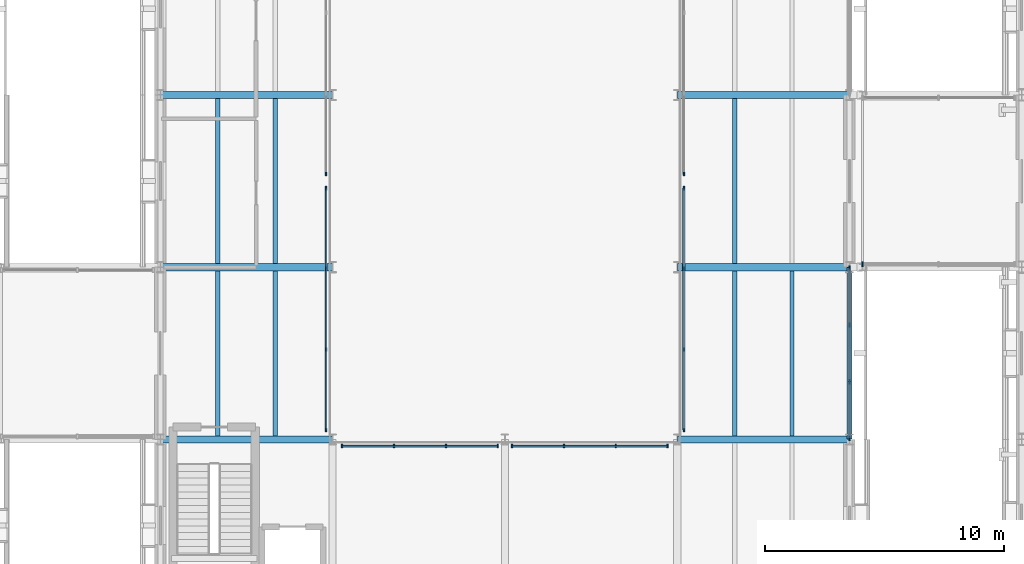
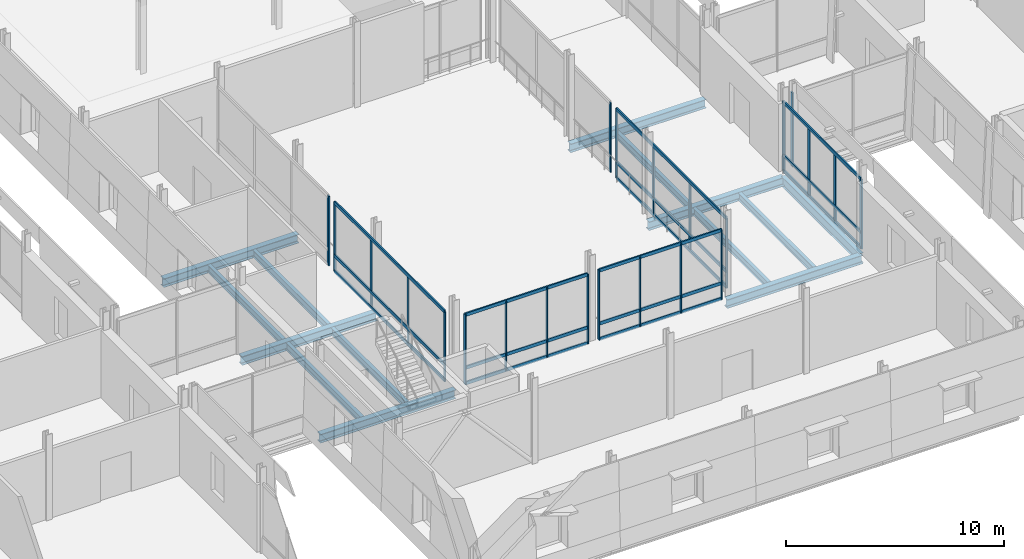
# One storey, part 28 of 121: 38 members, 14 beams, 8 elements without a shape of their own.
"""IFC4 building model written with IfcOpenShell, lengths in metres."""

import ifcopenshell
import ifcopenshell.guid

model = None  # the IFC model being written
_history = None  # IfcOwnerHistory: only IFC2X3 demands one
_inside = {}  # id of a spatial element -> (the spatial element, [elements in it])
_under = {}  # id of a project, library or spatial element -> (it, [spatial elements below it])
_declared = {}  # id of a project -> (the project, [libraries it declares])
_typed = {}  # id of a type object -> (the type object, [elements of that type])
_made_of = {}  # id of a material, layer set ... -> (it, [elements and type objects made of it])


def new_model(schema):
    """Start an empty IFC model of exactly this schema.

    Asked for "IFC4X3", IfcOpenShell would pick the latest addendum, in which some entities
    have other attributes; the version numbers below select the first issue.
    IFC2X3 requires an IfcOwnerHistory on every rooted entity: one is made here for all.
    """
    global model, _history
    if schema == "IFC4X3":
        model = ifcopenshell.file(schema_version=(4, 3, 0, 0))
    else:
        model = ifcopenshell.file(schema=schema)
    _inside.clear()
    _under.clear()
    _declared.clear()
    _typed.clear()
    _made_of.clear()
    _history = None
    if model.schema == "IFC2X3":
        org = make("IfcOrganization", Name="unknown")
        user = make(
            "IfcPersonAndOrganization",
            ThePerson=make("IfcPerson", FamilyName="unknown"),
            TheOrganization=org,
        )
        app = make(
            "IfcApplication",
            ApplicationDeveloper=org,
            Version="unknown",
            ApplicationFullName="unknown",
            ApplicationIdentifier="unknown",
        )
        _history = make(
            "IfcOwnerHistory",
            OwningUser=user,
            OwningApplication=app,
            ChangeAction="ADDED",
            CreationDate=0,
        )
    return model


def make(cls, **values):
    """One entity of the class cls with the attributes given. An attribute that is None is left unset."""
    return model.create_entity(
        cls, **{name: value for name, value in values.items() if value is not None}
    )


def rooted(cls, **values):
    """An entity with a GlobalId (a new one), such as an element, a storey or a relation."""
    return make(cls, GlobalId=ifcopenshell.guid.new(), OwnerHistory=_history, **values)


def si_unit(unit_type, name, prefix=None):
    """IfcSIUnit, for example si_unit("LENGTHUNIT", "METRE", prefix="MILLI")."""
    return make("IfcSIUnit", UnitType=unit_type, Prefix=prefix, Name=name)


def assignment(units):
    """IfcUnitAssignment: the units of a project."""
    return None if units is None else make("IfcUnitAssignment", Units=units)


def point(xyz):
    """IfcCartesianPoint."""
    return None if xyz is None else make("IfcCartesianPoint", Coordinates=xyz)


def direction(xyz):
    """IfcDirection."""
    return None if xyz is None else make("IfcDirection", DirectionRatios=xyz)


def frame(location, z_axis=None, x_axis=None):
    """IfcAxis2Placement3D, a coordinate frame: its origin and axes. An axis left out is left unset."""
    return make(
        "IfcAxis2Placement3D",
        Location=point(location),
        Axis=direction(z_axis),
        RefDirection=direction(x_axis),
    )


def frame_2d(location, x_axis=None):
    """IfcAxis2Placement2D, a coordinate frame in the plane: its origin and x axis."""
    return make(
        "IfcAxis2Placement2D", Location=point(location), RefDirection=direction(x_axis)
    )


def origin():
    """The frame at (0, 0, 0) with its axes left unset."""
    return frame((0.0, 0.0, 0.0))


def origin_2d():
    """The frame at (0, 0) in the plane with its x axis left unset."""
    return frame_2d((0.0, 0.0))


def place(relative_to, where):
    """IfcLocalPlacement: puts the frame where relative to a parent placement (None: the world)."""
    return make(
        "IfcLocalPlacement", PlacementRelTo=relative_to, RelativePlacement=where
    )


def context(
    kind, dimensions, precision=None, world=None, true_north=None, identifier=None
):
    """IfcGeometricRepresentationContext, for example the 3D "Model" context."""
    return make(
        "IfcGeometricRepresentationContext",
        ContextIdentifier=identifier,
        ContextType=kind,
        CoordinateSpaceDimension=dimensions,
        Precision=precision,
        WorldCoordinateSystem=world,
        TrueNorth=true_north,
    )


def subcontext(parent, identifier, kind, view, scale=None):
    """IfcGeometricRepresentationSubContext, for example "Body" below "Model"."""
    return make(
        "IfcGeometricRepresentationSubContext",
        ContextIdentifier=identifier,
        ContextType=kind,
        ParentContext=parent,
        TargetScale=scale,
        TargetView=view,
    )


def project(units=None, contexts=None):
    """IfcProject with its units and contexts."""
    return rooted(
        "IfcProject",
        Name="project",
        RepresentationContexts=contexts,
        UnitsInContext=assignment(units),
    )


def spatial(cls, under=None, at=None, **own):
    """A site, building, storey or space (cls), placed at a placement, below another one or the project."""
    s = rooted(cls, ObjectPlacement=at, **own)
    if under is not None:
        _under.setdefault(under.id(), (under, []))[1].append(s)
    return s


def profile(cls, at=None, kind="AREA", **sizes):
    """A parametric profile (cls). Its sizes go by their IFC names, for example OverallWidth=200.0."""
    return make(cls, ProfileType=kind, Position=at, **sizes)


def rectangle(**sizes):
    """IfcRectangleProfileDef."""
    return profile("IfcRectangleProfileDef", **sizes)


def i_section(**sizes):
    """IfcIShapeProfileDef."""
    return profile("IfcIShapeProfileDef", **sizes)


def extrude(swept, where, along, depth):
    """IfcExtrudedAreaSolid: the profile swept, set in the frame where, extruded along a direction by depth."""
    return make(
        "IfcExtrudedAreaSolid",
        SweptArea=swept,
        Position=where,
        ExtrudedDirection=direction(along),
        Depth=depth,
    )


def shape(context_of_items, identifier, shape_type, items):
    """IfcShapeRepresentation: the items that make up one representation, for example the "Body"."""
    return make(
        "IfcShapeRepresentation",
        ContextOfItems=context_of_items,
        RepresentationIdentifier=identifier,
        RepresentationType=shape_type,
        Items=items,
    )


def material(Name=None, Category=None):
    """IfcMaterial."""
    return make("IfcMaterial", Name=Name, Category=Category)


def layer(
    of_material, thickness, ventilated=None, Name=None, Category=None, Priority=None
):
    """IfcMaterialLayer: one layer of a wall or slab, of a material (None: an air gap)."""
    return make(
        "IfcMaterialLayer",
        Material=of_material,
        LayerThickness=thickness,
        IsVentilated=ventilated,
        Name=Name,
        Category=Category,
        Priority=Priority,
    )


def layer_set(layers, Name=None):
    """IfcMaterialLayerSet."""
    return make("IfcMaterialLayerSet", MaterialLayers=layers, LayerSetName=Name)


def material_profile(
    of_material, cross_section, Name=None, Category=None, Priority=None
):
    """IfcMaterialProfile: a cross section and its material."""
    return make(
        "IfcMaterialProfile",
        Name=Name,
        Material=of_material,
        Profile=cross_section,
        Priority=Priority,
        Category=Category,
    )


def profile_set(profiles, Name=None, composite=None):
    """IfcMaterialProfileSet."""
    return make(
        "IfcMaterialProfileSet",
        Name=Name,
        MaterialProfiles=profiles,
        CompositeProfile=composite,
    )


def made_of(thing, what):
    """Note that an element or type object is made of a material, layer set ...; save() writes the relation."""
    if what is not None:
        _made_of.setdefault(what.id(), (what, []))[1].append(thing)
    return thing


def type_object(cls, material=None, **own):
    """A type object (cls), such as IfcWallType, which elements share."""
    return made_of(rooted(cls, **own), material)


def element(
    cls,
    number,
    at=None,
    inside=None,
    cuts=None,
    type_object=None,
    material=None,
    context=None,
    identifier="Body",
    shape_type=None,
    held_by="IfcProductDefinitionShape",
    body=None,
    shapes=None,
    **own,
):
    """One element of the class cls, such as IfcWall. Its Tag is "e" and its number.

    at: its placement. inside: the storey or other place that contains it. cuts: it is an
    opening in that element (IfcRelVoidsElement). A single representation is given by context,
    identifier, shape_type and body (its items); several are given by shapes. held_by: the class
    of the entity that holds the representations. save() writes the other relations.
    """
    e = rooted(cls, Tag="e%d" % number, ObjectPlacement=at, **own)
    if body is not None:
        shapes = [shape(context, identifier, shape_type, body)]
    if shapes is not None:
        e.Representation = make(held_by, Representations=shapes)
    if inside is not None:
        _inside.setdefault(inside.id(), (inside, []))[1].append(e)
    if cuts is not None:
        rooted(
            "IfcRelVoidsElement", RelatingBuildingElement=cuts, RelatedOpeningElement=e
        )
    if type_object is not None:
        _typed.setdefault(type_object.id(), (type_object, []))[1].append(e)
    return made_of(e, material)


def aggregate(whole, parts):
    """IfcRelAggregates: a whole, such as a stair, and the parts it consists of."""
    return rooted("IfcRelAggregates", RelatingObject=whole, RelatedObjects=parts)


def save(model, path):
    """Write the relations noted so far, then the file.

    IfcRelAggregates (storeys below a building ...), IfcRelContainedInSpatialStructure (elements
    in a storey), IfcRelDefinesByType, IfcRelAssociatesMaterial and IfcRelDeclares: one each for
    every whole, place, type object, material and project.
    """
    for whole, parts in _under.values():
        aggregate(whole, parts)
    for where, things in _inside.values():
        rooted(
            "IfcRelContainedInSpatialStructure",
            RelatedElements=things,
            RelatingStructure=where,
        )
    for kind, things in _typed.values():
        rooted("IfcRelDefinesByType", RelatedObjects=things, RelatingType=kind)
    for what, things in _made_of.values():
        rooted("IfcRelAssociatesMaterial", RelatedObjects=things, RelatingMaterial=what)
    for by, libraries in _declared.values():
        rooted("IfcRelDeclares", RelatingContext=by, RelatedDefinitions=libraries)
    model.write(path)


model = new_model("IFC4")

# Units and contexts
model_context = context("Model", 3, precision=1e-05, world=origin(), true_north=direction((0.0, 1.0)))
body_context = subcontext(model_context, "Body", "Model", "MODEL_VIEW")
ifc_project = project(units=[si_unit("LENGTHUNIT", "METRE"), si_unit("AREAUNIT", "SQUARE_METRE"), si_unit("VOLUMEUNIT", "CUBIC_METRE"), si_unit("PLANEANGLEUNIT", "RADIAN"), si_unit("MASSUNIT", "GRAM", prefix="KILO")], contexts=[model_context])

# Site, building, storey
site_placement = place(None, origin())
site = spatial("IfcSite", under=ifc_project, at=site_placement, CompositionType="ELEMENT")
building_placement = place(site_placement, origin())
building = spatial("IfcBuilding", under=site, at=building_placement, Name="Narikvali Park Central Library", CompositionType="ELEMENT")
storey_placement = place(building_placement, frame((0.0, 0.0, 5.39990234375)))
storey = spatial("IfcBuildingStorey", under=building, at=storey_placement, Name="L01", CompositionType="ELEMENT", Elevation=5.39990234375)

# Curtain wall, members
ifc_material_1 = material(Name="Anodised Bronze Aluminium", Category="aluminium")
ifc_layer_1 = layer(ifc_material_1, 0.219970703125, Name="Anodised Bronze Aluminium")
ifc_layer_set_1 = layer_set([ifc_layer_1], Name="Anodised Bronze Aluminium")
curtain_wall_type_1 = type_object("IfcCurtainWallType", Name="Atrium Tall Curtain Wall System", PredefinedType="NOTDEFINED", material=ifc_layer_set_1)
curtain_wall_1_placement = place(storey_placement, origin())
curtain_wall_1 = element("IfcCurtainWall", 1, at=curtain_wall_1_placement, inside=storey, type_object=curtain_wall_type_1, Name="Atrium Tall Curtain Wall System CW-V4-L01-E-03", PredefinedType="NOTDEFINED")
ifc_material_profile_1 = material_profile(ifc_material_1, rectangle(XDim=0.074951171875, YDim=0.179931640625, at=origin_2d()), Name="CW TRANSOM 75x180")
ifc_profile_set_1 = profile_set([ifc_material_profile_1], Name="Anodised Bronze Aluminium")
member_type_1 = type_object("IfcMemberType", Name="Curtain Wall Heavy Transom 75x180", PredefinedType="USERDEFINED", material=ifc_profile_set_1)
member_1_placement = place(storey_placement, frame((57.60009765625, 64.837890625, 0.030029296875), z_axis=(0.0, 1.0, 0.0), x_axis=(-1.0, 0.0, 0.0)))
member_1 = element("IfcMember", 2, at=member_1_placement, type_object=member_type_1, Name="CW-V4-L01-E-03 Transom 00", ObjectType="TRANSOM", PredefinedType="USERDEFINED", context=body_context, shape_type="SweptSolid", body=[
    extrude(rectangle(XDim=0.074951171875, YDim=0.179931640625, at=origin_2d()), origin(), (0.0, 0.0, 1.0), 7.1240234375),
])
member_2_placement = place(storey_placement, frame((57.60009765625, 64.837890625, 0.900146484375), z_axis=(0.0, 1.0, 0.0), x_axis=(-1.0, 0.0, 0.0)))
member_2 = element("IfcMember", 3, at=member_2_placement, type_object=member_type_1, Name="CW-V4-L01-E-03 Transom 01", ObjectType="TRANSOM", PredefinedType="USERDEFINED", context=body_context, shape_type="SweptSolid", body=[
    extrude(rectangle(XDim=0.074951171875, YDim=0.179931640625, at=origin_2d()), origin(), (0.0, 0.0, 1.0), 7.1240234375),
])
member_3_placement = place(storey_placement, frame((57.60009765625, 64.837890625, 3.8701171875), z_axis=(0.0, 1.0, 0.0), x_axis=(-1.0, 0.0, 0.0)))
member_3 = element("IfcMember", 4, at=member_3_placement, type_object=member_type_1, Name="CW-V4-L01-E-03 Transom 02", ObjectType="TRANSOM", PredefinedType="USERDEFINED", context=body_context, shape_type="SweptSolid", body=[
    extrude(rectangle(XDim=0.074951171875, YDim=0.179931640625, at=origin_2d()), origin(), (0.0, 0.0, 1.0), 7.1240234375),
])

curtain_wall_2_placement = place(storey_placement, origin())
curtain_wall_2 = element("IfcCurtainWall", 5, at=curtain_wall_2_placement, inside=storey, type_object=curtain_wall_type_1, Name="Atrium Tall Curtain Wall System CW-INT-V4-L01-W1", PredefinedType="NOTDEFINED")
member_4_placement = place(storey_placement, frame((35.719970703125, 65.199951171875, 0.030029296875), z_axis=(0.0, 1.0, 0.0), x_axis=(-1.0, 0.0, 0.0)))
member_4 = element("IfcMember", 6, at=member_4_placement, type_object=member_type_1, Name="CW-INT-V4-L01-W1 Transom 00", ObjectType="TRANSOM", PredefinedType="USERDEFINED", context=body_context, shape_type="SweptSolid", body=[
    extrude(rectangle(XDim=0.074951171875, YDim=0.179931640625, at=origin_2d()), origin(), (0.0, 0.0, 1.0), 10.10009765625),
])
member_5_placement = place(storey_placement, frame((35.719970703125, 65.199951171875, 0.900146484375), z_axis=(0.0, 1.0, 0.0), x_axis=(-1.0, 0.0, 0.0)))
member_5 = element("IfcMember", 7, at=member_5_placement, type_object=member_type_1, Name="CW-INT-V4-L01-W1 Transom 01", ObjectType="TRANSOM", PredefinedType="USERDEFINED", context=body_context, shape_type="SweptSolid", body=[
    extrude(rectangle(XDim=0.074951171875, YDim=0.179931640625, at=origin_2d()), origin(), (0.0, 0.0, 1.0), 10.10009765625),
])
member_6_placement = place(storey_placement, frame((35.719970703125, 65.199951171875, 3.8701171875), z_axis=(0.0, 1.0, 0.0), x_axis=(-1.0, 0.0, 0.0)))
member_6 = element("IfcMember", 8, at=member_6_placement, type_object=member_type_1, Name="CW-INT-V4-L01-W1 Transom 02", ObjectType="TRANSOM", PredefinedType="USERDEFINED", context=body_context, shape_type="SweptSolid", body=[
    extrude(rectangle(XDim=0.074951171875, YDim=0.179931640625, at=origin_2d()), origin(), (0.0, 0.0, 1.0), 10.10009765625),
])

curtain_wall_3_placement = place(storey_placement, origin())
curtain_wall_3 = element("IfcCurtainWall", 9, at=curtain_wall_3_placement, inside=storey, type_object=curtain_wall_type_1, Name="Atrium Tall Curtain Wall System CW-INT-V4-L01-E1", PredefinedType="NOTDEFINED")
member_7_placement = place(storey_placement, frame((50.679931640625, 65.199951171875, 0.030029296875), z_axis=(0.0, 1.0, 0.0), x_axis=(-1.0, 0.0, 0.0)))
member_7 = element("IfcMember", 10, at=member_7_placement, type_object=member_type_1, Name="CW-INT-V4-L01-E1 Transom 00", ObjectType="TRANSOM", PredefinedType="USERDEFINED", context=body_context, shape_type="SweptSolid", body=[
    extrude(rectangle(XDim=0.074951171875, YDim=0.179931640625, at=origin_2d()), origin(), (0.0, 0.0, 1.0), 10.10009765625),
])
member_8_placement = place(storey_placement, frame((50.679931640625, 65.199951171875, 0.900146484375), z_axis=(0.0, 1.0, 0.0), x_axis=(-1.0, 0.0, 0.0)))
member_8 = element("IfcMember", 11, at=member_8_placement, type_object=member_type_1, Name="CW-INT-V4-L01-E1 Transom 01", ObjectType="TRANSOM", PredefinedType="USERDEFINED", context=body_context, shape_type="SweptSolid", body=[
    extrude(rectangle(XDim=0.074951171875, YDim=0.179931640625, at=origin_2d()), origin(), (0.0, 0.0, 1.0), 10.10009765625),
])
member_9_placement = place(storey_placement, frame((50.679931640625, 65.199951171875, 3.8701171875), z_axis=(0.0, 1.0, 0.0), x_axis=(-1.0, 0.0, 0.0)))
member_9 = element("IfcMember", 12, at=member_9_placement, type_object=member_type_1, Name="CW-INT-V4-L01-E1 Transom 02", ObjectType="TRANSOM", PredefinedType="USERDEFINED", context=body_context, shape_type="SweptSolid", body=[
    extrude(rectangle(XDim=0.074951171875, YDim=0.179931640625, at=origin_2d()), origin(), (0.0, 0.0, 1.0), 10.10009765625),
])

curtain_wall_4_placement = place(storey_placement, origin())
curtain_wall_4 = element("IfcCurtainWall", 13, at=curtain_wall_4_placement, inside=storey, type_object=curtain_wall_type_1, Name="Atrium Tall Curtain Wall System CW-INT-V4-L01-S1", PredefinedType="NOTDEFINED")
member_10_placement = place(storey_placement, frame((36.39990234375, 64.52001953125, 0.030029296875), z_axis=(1.0, 0.0, 0.0), x_axis=(0.0, 1.0, 0.0)))
member_10 = element("IfcMember", 14, at=member_10_placement, type_object=member_type_1, Name="CW-INT-V4-L01-S1 Transom 00", ObjectType="TRANSOM", PredefinedType="USERDEFINED", context=body_context, shape_type="SweptSolid", body=[
    extrude(rectangle(XDim=0.074951171875, YDim=0.179931640625, at=origin_2d()), origin(), (0.0, 0.0, 1.0), 6.5),
])
member_11_placement = place(storey_placement, frame((36.39990234375, 64.52001953125, 0.900146484375), z_axis=(1.0, 0.0, 0.0), x_axis=(0.0, 1.0, 0.0)))
member_11 = element("IfcMember", 15, at=member_11_placement, type_object=member_type_1, Name="CW-INT-V4-L01-S1 Transom 01", ObjectType="TRANSOM", PredefinedType="USERDEFINED", context=body_context, shape_type="SweptSolid", body=[
    extrude(rectangle(XDim=0.074951171875, YDim=0.179931640625, at=origin_2d()), origin(), (0.0, 0.0, 1.0), 6.5),
])
member_12_placement = place(storey_placement, frame((36.39990234375, 64.52001953125, 3.8701171875), z_axis=(1.0, 0.0, 0.0), x_axis=(0.0, 1.0, 0.0)))
member_12 = element("IfcMember", 16, at=member_12_placement, type_object=member_type_1, Name="CW-INT-V4-L01-S1 Transom 02", ObjectType="TRANSOM", PredefinedType="USERDEFINED", context=body_context, shape_type="SweptSolid", body=[
    extrude(rectangle(XDim=0.074951171875, YDim=0.179931640625, at=origin_2d()), origin(), (0.0, 0.0, 1.0), 6.5),
])

curtain_wall_5_placement = place(storey_placement, origin())
curtain_wall_5 = element("IfcCurtainWall", 17, at=curtain_wall_5_placement, inside=storey, type_object=curtain_wall_type_1, Name="Atrium Tall Curtain Wall System CW-INT-V4-L01-S2", PredefinedType="NOTDEFINED")
member_13_placement = place(storey_placement, frame((43.5, 64.52001953125, 0.030029296875), z_axis=(1.0, 0.0, 0.0), x_axis=(0.0, 1.0, 0.0)))
member_13 = element("IfcMember", 18, at=member_13_placement, type_object=member_type_1, Name="CW-INT-V4-L01-S2 Transom 00", ObjectType="TRANSOM", PredefinedType="USERDEFINED", context=body_context, shape_type="SweptSolid", body=[
    extrude(rectangle(XDim=0.074951171875, YDim=0.179931640625, at=origin_2d()), origin(), (0.0, 0.0, 1.0), 6.5),
])
member_14_placement = place(storey_placement, frame((43.5, 64.52001953125, 0.900146484375), z_axis=(1.0, 0.0, 0.0), x_axis=(0.0, 1.0, 0.0)))
member_14 = element("IfcMember", 19, at=member_14_placement, type_object=member_type_1, Name="CW-INT-V4-L01-S2 Transom 01", ObjectType="TRANSOM", PredefinedType="USERDEFINED", context=body_context, shape_type="SweptSolid", body=[
    extrude(rectangle(XDim=0.074951171875, YDim=0.179931640625, at=origin_2d()), origin(), (0.0, 0.0, 1.0), 6.5),
])
member_15_placement = place(storey_placement, frame((43.5, 64.52001953125, 3.8701171875), z_axis=(1.0, 0.0, 0.0), x_axis=(0.0, 1.0, 0.0)))
member_15 = element("IfcMember", 20, at=member_15_placement, type_object=member_type_1, Name="CW-INT-V4-L01-S2 Transom 02", ObjectType="TRANSOM", PredefinedType="USERDEFINED", context=body_context, shape_type="SweptSolid", body=[
    extrude(rectangle(XDim=0.074951171875, YDim=0.179931640625, at=origin_2d()), origin(), (0.0, 0.0, 1.0), 6.5),
])

# Member
ifc_material_profile_2 = material_profile(ifc_material_1, rectangle(XDim=0.06005859375, YDim=0.14990234375, at=origin_2d()), Name="CW MULLION 60x150")
ifc_profile_set_2 = profile_set([ifc_material_profile_2], Name="Anodised Bronze Aluminium")
member_type_2 = type_object("IfcMemberType", Name="Curtain Wall Mullion 60x150", PredefinedType="MULLION", material=ifc_profile_set_2)
member_16_placement = place(storey_placement, frame((35.719970703125, 65.199951171875, -0.010009765625), z_axis=(0.0, 0.0, 1.0), x_axis=(1.0, 0.0, 0.0)))
member_16 = element("IfcMember", 21, at=member_16_placement, type_object=member_type_2, Name="CW-INT-V4-L01-W1 Mullion 00", PredefinedType="MULLION", context=body_context, shape_type="SweptSolid", body=[
    extrude(rectangle(XDim=0.06005859375, YDim=0.14990234375, at=origin_2d()), origin(), (0.0, 0.0, 1.0), 3.91015625),
])

member_17_placement = place(storey_placement, frame((35.719970703125, 68.566650390625, -0.010009765625), z_axis=(0.0, 0.0, 1.0), x_axis=(1.0, 0.0, 0.0)))
member_17 = element("IfcMember", 22, at=member_17_placement, type_object=member_type_2, Name="CW-INT-V4-L01-W1 Mullion 01", PredefinedType="MULLION", context=body_context, shape_type="SweptSolid", body=[
    extrude(rectangle(XDim=0.06005859375, YDim=0.14990234375, at=origin_2d()), origin(), (0.0, 0.0, 1.0), 3.91015625),
])

member_18_placement = place(storey_placement, frame((35.719970703125, 71.933349609375, -0.010009765625), z_axis=(0.0, 0.0, 1.0), x_axis=(1.0, 0.0, 0.0)))
member_18 = element("IfcMember", 23, at=member_18_placement, type_object=member_type_2, Name="CW-INT-V4-L01-W1 Mullion 02", PredefinedType="MULLION", context=body_context, shape_type="SweptSolid", body=[
    extrude(rectangle(XDim=0.06005859375, YDim=0.14990234375, at=origin_2d()), origin(), (0.0, 0.0, 1.0), 3.91015625),
])

member_19_placement = place(storey_placement, frame((35.719970703125, 75.300048828125, -0.010009765625), z_axis=(0.0, 0.0, 1.0), x_axis=(1.0, 0.0, 0.0)))
member_19 = element("IfcMember", 24, at=member_19_placement, type_object=member_type_2, Name="CW-INT-V4-L01-W1 Mullion 03", PredefinedType="MULLION", context=body_context, shape_type="SweptSolid", body=[
    extrude(rectangle(XDim=0.06005859375, YDim=0.14990234375, at=origin_2d()), origin(), (0.0, 0.0, 1.0), 3.91015625),
])

aggregate(curtain_wall_2, [member_16, member_17, member_18, member_19, member_4, member_5, member_6])

# Curtain wall, member
curtain_wall_6_placement = place(storey_placement, origin())
curtain_wall_6 = element("IfcCurtainWall", 25, at=curtain_wall_6_placement, inside=storey, type_object=curtain_wall_type_1, Name="Atrium Tall Curtain Wall System CW-INT-V4-L01-W2", PredefinedType="NOTDEFINED")
member_20_placement = place(storey_placement, frame((35.719970703125, 75.89990234375, -0.010009765625), z_axis=(0.0, 0.0, 1.0), x_axis=(1.0, 0.0, 0.0)))
member_20 = element("IfcMember", 26, at=member_20_placement, type_object=member_type_2, Name="CW-INT-V4-L01-W2 Mullion 00", PredefinedType="MULLION", context=body_context, shape_type="SweptSolid", body=[
    extrude(rectangle(XDim=0.06005859375, YDim=0.14990234375, at=origin_2d()), origin(), (0.0, 0.0, 1.0), 3.91015625),
])
aggregate(curtain_wall_6, [member_20])

# Member
member_21_placement = place(storey_placement, frame((50.679931640625, 65.199951171875, -0.010009765625), z_axis=(0.0, 0.0, 1.0), x_axis=(1.0, 0.0, 0.0)))
member_21 = element("IfcMember", 27, at=member_21_placement, type_object=member_type_2, Name="CW-INT-V4-L01-E1 Mullion 00", PredefinedType="MULLION", context=body_context, shape_type="SweptSolid", body=[
    extrude(rectangle(XDim=0.06005859375, YDim=0.14990234375, at=origin_2d()), origin(), (0.0, 0.0, 1.0), 3.91015625),
])

member_22_placement = place(storey_placement, frame((50.679931640625, 68.566650390625, -0.010009765625), z_axis=(0.0, 0.0, 1.0), x_axis=(1.0, 0.0, 0.0)))
member_22 = element("IfcMember", 28, at=member_22_placement, type_object=member_type_2, Name="CW-INT-V4-L01-E1 Mullion 01", PredefinedType="MULLION", context=body_context, shape_type="SweptSolid", body=[
    extrude(rectangle(XDim=0.06005859375, YDim=0.14990234375, at=origin_2d()), origin(), (0.0, 0.0, 1.0), 3.91015625),
])

member_23_placement = place(storey_placement, frame((50.679931640625, 71.933349609375, -0.010009765625), z_axis=(0.0, 0.0, 1.0), x_axis=(1.0, 0.0, 0.0)))
member_23 = element("IfcMember", 29, at=member_23_placement, type_object=member_type_2, Name="CW-INT-V4-L01-E1 Mullion 02", PredefinedType="MULLION", context=body_context, shape_type="SweptSolid", body=[
    extrude(rectangle(XDim=0.06005859375, YDim=0.14990234375, at=origin_2d()), origin(), (0.0, 0.0, 1.0), 3.91015625),
])

member_24_placement = place(storey_placement, frame((50.679931640625, 75.300048828125, -0.010009765625), z_axis=(0.0, 0.0, 1.0), x_axis=(1.0, 0.0, 0.0)))
member_24 = element("IfcMember", 30, at=member_24_placement, type_object=member_type_2, Name="CW-INT-V4-L01-E1 Mullion 03", PredefinedType="MULLION", context=body_context, shape_type="SweptSolid", body=[
    extrude(rectangle(XDim=0.06005859375, YDim=0.14990234375, at=origin_2d()), origin(), (0.0, 0.0, 1.0), 3.91015625),
])

aggregate(curtain_wall_3, [member_21, member_22, member_23, member_24, member_7, member_8, member_9])

# Curtain wall, member
curtain_wall_7_placement = place(storey_placement, origin())
curtain_wall_7 = element("IfcCurtainWall", 31, at=curtain_wall_7_placement, inside=storey, type_object=curtain_wall_type_1, Name="Atrium Tall Curtain Wall System CW-INT-V4-L01-E2", PredefinedType="NOTDEFINED")
member_25_placement = place(storey_placement, frame((50.679931640625, 75.89990234375, -0.010009765625), z_axis=(0.0, 0.0, 1.0), x_axis=(1.0, 0.0, 0.0)))
member_25 = element("IfcMember", 32, at=member_25_placement, type_object=member_type_2, Name="CW-INT-V4-L01-E2 Mullion 00", PredefinedType="MULLION", context=body_context, shape_type="SweptSolid", body=[
    extrude(rectangle(XDim=0.06005859375, YDim=0.14990234375, at=origin_2d()), origin(), (0.0, 0.0, 1.0), 3.91015625),
])
aggregate(curtain_wall_7, [member_25])

# Member
member_26_placement = place(storey_placement, frame((36.39990234375, 64.52001953125, -0.010009765625), z_axis=(0.0, 0.0, 1.0), x_axis=(1.0, 0.0, 0.0)))
member_26 = element("IfcMember", 33, at=member_26_placement, type_object=member_type_2, Name="CW-INT-V4-L01-S1 Mullion 00", PredefinedType="MULLION", context=body_context, shape_type="SweptSolid", body=[
    extrude(rectangle(XDim=0.06005859375, YDim=0.14990234375, at=origin_2d()), origin(), (0.0, 0.0, 1.0), 3.91015625),
])

member_27_placement = place(storey_placement, frame((38.566650390625, 64.52001953125, -0.010009765625), z_axis=(0.0, 0.0, 1.0), x_axis=(1.0, 0.0, 0.0)))
member_27 = element("IfcMember", 34, at=member_27_placement, type_object=member_type_2, Name="CW-INT-V4-L01-S1 Mullion 01", PredefinedType="MULLION", context=body_context, shape_type="SweptSolid", body=[
    extrude(rectangle(XDim=0.06005859375, YDim=0.14990234375, at=origin_2d()), origin(), (0.0, 0.0, 1.0), 3.91015625),
])

member_28_placement = place(storey_placement, frame((40.7333984375, 64.52001953125, -0.010009765625), z_axis=(0.0, 0.0, 1.0), x_axis=(1.0, 0.0, 0.0)))
member_28 = element("IfcMember", 35, at=member_28_placement, type_object=member_type_2, Name="CW-INT-V4-L01-S1 Mullion 02", PredefinedType="MULLION", context=body_context, shape_type="SweptSolid", body=[
    extrude(rectangle(XDim=0.06005859375, YDim=0.14990234375, at=origin_2d()), origin(), (0.0, 0.0, 1.0), 3.91015625),
])

member_29_placement = place(storey_placement, frame((42.89990234375, 64.52001953125, -0.010009765625), z_axis=(0.0, 0.0, 1.0), x_axis=(1.0, 0.0, 0.0)))
member_29 = element("IfcMember", 36, at=member_29_placement, type_object=member_type_2, Name="CW-INT-V4-L01-S1 Mullion 03", PredefinedType="MULLION", context=body_context, shape_type="SweptSolid", body=[
    extrude(rectangle(XDim=0.06005859375, YDim=0.14990234375, at=origin_2d()), origin(), (0.0, 0.0, 1.0), 3.91015625),
])

aggregate(curtain_wall_4, [member_26, member_27, member_28, member_29, member_10, member_11, member_12])

member_30_placement = place(storey_placement, frame((43.5, 64.52001953125, -0.010009765625), z_axis=(0.0, 0.0, 1.0), x_axis=(1.0, 0.0, 0.0)))
member_30 = element("IfcMember", 37, at=member_30_placement, type_object=member_type_2, Name="CW-INT-V4-L01-S2 Mullion 00", PredefinedType="MULLION", context=body_context, shape_type="SweptSolid", body=[
    extrude(rectangle(XDim=0.06005859375, YDim=0.14990234375, at=origin_2d()), origin(), (0.0, 0.0, 1.0), 3.91015625),
])

member_31_placement = place(storey_placement, frame((45.666748046875, 64.52001953125, -0.010009765625), z_axis=(0.0, 0.0, 1.0), x_axis=(1.0, 0.0, 0.0)))
member_31 = element("IfcMember", 38, at=member_31_placement, type_object=member_type_2, Name="CW-INT-V4-L01-S2 Mullion 01", PredefinedType="MULLION", context=body_context, shape_type="SweptSolid", body=[
    extrude(rectangle(XDim=0.06005859375, YDim=0.14990234375, at=origin_2d()), origin(), (0.0, 0.0, 1.0), 3.91015625),
])

member_32_placement = place(storey_placement, frame((47.833251953125, 64.52001953125, -0.010009765625), z_axis=(0.0, 0.0, 1.0), x_axis=(1.0, 0.0, 0.0)))
member_32 = element("IfcMember", 39, at=member_32_placement, type_object=member_type_2, Name="CW-INT-V4-L01-S2 Mullion 02", PredefinedType="MULLION", context=body_context, shape_type="SweptSolid", body=[
    extrude(rectangle(XDim=0.06005859375, YDim=0.14990234375, at=origin_2d()), origin(), (0.0, 0.0, 1.0), 3.91015625),
])

member_33_placement = place(storey_placement, frame((50.0, 64.52001953125, -0.010009765625), z_axis=(0.0, 0.0, 1.0), x_axis=(1.0, 0.0, 0.0)))
member_33 = element("IfcMember", 40, at=member_33_placement, type_object=member_type_2, Name="CW-INT-V4-L01-S2 Mullion 03", PredefinedType="MULLION", context=body_context, shape_type="SweptSolid", body=[
    extrude(rectangle(XDim=0.06005859375, YDim=0.14990234375, at=origin_2d()), origin(), (0.0, 0.0, 1.0), 3.91015625),
])

aggregate(curtain_wall_5, [member_30, member_31, member_32, member_33, member_13, member_14, member_15])

ifc_material_profile_3 = material_profile(ifc_material_1, rectangle(XDim=0.070068359375, YDim=0.199951171875, at=origin_2d()), Name="CW MULLION 70x200")
ifc_profile_set_3 = profile_set([ifc_material_profile_3], Name="Anodised Bronze Aluminium")
member_type_3 = type_object("IfcMemberType", Name="Curtain Wall Mullion 70x200", PredefinedType="MULLION", material=ifc_profile_set_3)
member_34_placement = place(storey_placement, frame((57.60009765625, 64.837890625, -0.010009765625), z_axis=(0.0, 0.0, 1.0), x_axis=(1.0, 0.0, 0.0)))
member_34 = element("IfcMember", 41, at=member_34_placement, type_object=member_type_3, Name="CW-V4-L01-E-03 Mullion 00", PredefinedType="MULLION", context=body_context, shape_type="SweptSolid", body=[
    extrude(rectangle(XDim=0.070068359375, YDim=0.199951171875, at=origin_2d()), origin(), (0.0, 0.0, 1.0), 3.91015625),
])

member_35_placement = place(storey_placement, frame((57.60009765625, 67.212646484375, -0.010009765625), z_axis=(0.0, 0.0, 1.0), x_axis=(1.0, 0.0, 0.0)))
member_35 = element("IfcMember", 42, at=member_35_placement, type_object=member_type_3, Name="CW-V4-L01-E-03 Mullion 01", PredefinedType="MULLION", context=body_context, shape_type="SweptSolid", body=[
    extrude(rectangle(XDim=0.070068359375, YDim=0.199951171875, at=origin_2d()), origin(), (0.0, 0.0, 1.0), 3.91015625),
])

member_36_placement = place(storey_placement, frame((57.60009765625, 69.58740234375, -0.010009765625), z_axis=(0.0, 0.0, 1.0), x_axis=(1.0, 0.0, 0.0)))
member_36 = element("IfcMember", 43, at=member_36_placement, type_object=member_type_3, Name="CW-V4-L01-E-03 Mullion 02", PredefinedType="MULLION", context=body_context, shape_type="SweptSolid", body=[
    extrude(rectangle(XDim=0.070068359375, YDim=0.199951171875, at=origin_2d()), origin(), (0.0, 0.0, 1.0), 3.91015625),
])

member_37_placement = place(storey_placement, frame((57.60009765625, 71.9619140625, -0.010009765625), z_axis=(0.0, 0.0, 1.0), x_axis=(1.0, 0.0, 0.0)))
member_37 = element("IfcMember", 44, at=member_37_placement, type_object=member_type_3, Name="CW-V4-L01-E-03 Mullion 03", PredefinedType="MULLION", context=body_context, shape_type="SweptSolid", body=[
    extrude(rectangle(XDim=0.070068359375, YDim=0.199951171875, at=origin_2d()), origin(), (0.0, 0.0, 1.0), 3.91015625),
])

aggregate(curtain_wall_1, [member_34, member_35, member_36, member_37, member_1, member_2, member_3])

# Curtain wall, member
ifc_layer_2 = layer(ifc_material_1, 0.219970703125, Name="Anodised Bronze Aluminium")
ifc_layer_set_2 = layer_set([ifc_layer_2], Name="Anodised Bronze Aluminium")
curtain_wall_type_2 = type_object("IfcCurtainWallType", Name="Bridge Covered Passage Glazing System", PredefinedType="NOTDEFINED", material=ifc_layer_set_2)
curtain_wall_8_placement = place(storey_placement, origin())
curtain_wall_8 = element("IfcCurtainWall", 45, at=curtain_wall_8_placement, inside=storey, type_object=curtain_wall_type_2, Name="Bridge Covered Passage Glazing System CW-BRG-2-L01-S1", PredefinedType="NOTDEFINED")
member_38_placement = place(storey_placement, frame((58.14990234375, 72.1201171875, -0.010009765625), z_axis=(0.0, 0.0, 1.0), x_axis=(1.0, 0.0, 0.0)))
member_38 = element("IfcMember", 46, at=member_38_placement, type_object=member_type_3, Name="CW-BRG-2-L01-S1 Mullion 00", PredefinedType="MULLION", context=body_context, shape_type="SweptSolid", body=[
    extrude(rectangle(XDim=0.070068359375, YDim=0.199951171875, at=origin_2d()), origin(), (0.0, 0.0, 1.0), 4.16015625),
])
aggregate(curtain_wall_8, [member_38])

# Beams
ifc_material_2 = material(Name="Steel S355", Category="steel")
ifc_material_profile_4 = material_profile(ifc_material_2, i_section(OverallWidth=0.181884765625, OverallDepth=0.404052734375, WebThickness=0.009765625, FlangeThickness=0.015380859375, FilletRadius=0.02099609375, at=origin_2d()), Name="IPEO 400")
ifc_profile_set_4 = profile_set([ifc_material_profile_4], Name="Steel S355")
beam_type_1 = type_object("IfcBeamType", Name="Gallery Floor Joist IPEO400", PredefinedType="JOIST", material=ifc_profile_set_4)
for number, where, z_axis, x_axis, name in (
    (47, (31.199951171875, 64.949951171875, -0.48193359375), (0.0, 1.0, 0.0), (-1.0, 0.0, 0.0), "V4 L01 Composite Joist 1"),
    (48, (33.60009765625, 64.949951171875, -0.48193359375), (0.0, 1.0, 0.0), (-1.0, 0.0, 0.0), "V4 L01 Composite Joist 2"),
    (49, (31.199951171875, 72.14990234375, -0.48193359375), (0.0, 1.0, 0.0), (-1.0, 0.0, 0.0), "V4 L01 Composite Joist 1"),
    (50, (33.60009765625, 72.14990234375, -0.48193359375), (0.0, 1.0, 0.0), (-1.0, 0.0, 0.0), "V4 L01 Composite Joist 2"),
    (51, (52.800048828125, 64.949951171875, -0.48193359375), (0.0, 1.0, 0.0), (-1.0, 0.0, 0.0), "V4 L01 Composite Joist 1"),
    (52, (55.199951171875, 64.949951171875, -0.48193359375), (0.0, 1.0, 0.0), (-1.0, 0.0, 0.0), "V4 L01 Composite Joist 2"),
    (53, (52.800048828125, 72.14990234375, -0.48193359375), (0.0, 1.0, 0.0), (-1.0, 0.0, 0.0), "V4 L01 Composite Joist 1"),
):
    element("IfcBeam", number, at=place(storey_placement, frame(where, z_axis=z_axis, x_axis=x_axis)), inside=storey, type_object=beam_type_1, Name=name, PredefinedType="JOIST", context=body_context, shape_type="SweptSolid", body=[
        extrude(i_section(OverallWidth=0.181884765625, OverallDepth=0.404052734375, WebThickness=0.009765625, FlangeThickness=0.015380859375, FilletRadius=0.02099609375, at=origin_2d()), origin(), (0.0, 0.0, 1.0), 6.900146484375),
    ])
ifc_material_profile_5 = material_profile(ifc_material_2, i_section(OverallWidth=0.2099609375, OverallDepth=0.550048828125, WebThickness=0.010986328125, FlangeThickness=0.01708984375, FilletRadius=0.02392578125, at=origin_2d()), Name="IPE 550")
ifc_profile_set_5 = profile_set([ifc_material_profile_5], Name="Steel S355")
beam_type_2 = type_object("IfcBeamType", Name="Perimeter Spandrel IPE550", PredefinedType="SPANDREL", material=ifc_profile_set_5)
beam_1_placement = place(storey_placement, frame((57.60009765625, 64.80810546875, -0.554931640625), z_axis=(0.0, 1.0, 0.0), x_axis=(-1.0, 0.0, 0.0)))
element("IfcBeam", 54, at=beam_1_placement, inside=storey, type_object=beam_type_2, Name="V4 L01 Girder Y", PredefinedType="SPANDREL", context=body_context, shape_type="SweptSolid", body=[
    extrude(i_section(OverallWidth=0.2099609375, OverallDepth=0.550048828125, WebThickness=0.010986328125, FlangeThickness=0.01708984375, FilletRadius=0.02392578125, at=origin_2d()), origin(), (0.0, 0.0, 1.0), 7.183837890625),
])
ifc_material_profile_6 = material_profile(ifc_material_2, i_section(OverallWidth=0.300048828125, OverallDepth=0.489990234375, WebThickness=0.011962890625, FlangeThickness=0.02294921875, FilletRadius=0.027099609375, at=origin_2d()), Name="HEA 500")
ifc_profile_set_6 = profile_set([ifc_material_profile_6], Name="Steel S355")
beam_type_3 = type_object("IfcBeamType", Name="Primary Girder HEA500", PredefinedType="BEAM", material=ifc_profile_set_6)
beam_2_placement = place(storey_placement, frame((28.80810546875, 64.800048828125, -0.52490234375), z_axis=(1.0, 0.0, 0.0), x_axis=(0.0, 1.0, 0.0)))
element("IfcBeam", 55, at=beam_2_placement, inside=storey, type_object=beam_type_3, Name="V4 L01 Girder X", PredefinedType="BEAM", context=body_context, shape_type="SweptSolid", body=[
    extrude(i_section(OverallWidth=0.300048828125, OverallDepth=0.489990234375, WebThickness=0.011962890625, FlangeThickness=0.02294921875, FilletRadius=0.027099609375, at=origin_2d()), origin(), (0.0, 0.0, 1.0), 7.183837890625),
])
beam_3_placement = place(storey_placement, frame((50.407958984375, 64.800048828125, -0.52490234375), z_axis=(1.0, 0.0, 0.0), x_axis=(0.0, 1.0, 0.0)))
element("IfcBeam", 56, at=beam_3_placement, inside=storey, type_object=beam_type_3, Name="V4 L01 Girder X", PredefinedType="BEAM", context=body_context, shape_type="SweptSolid", body=[
    extrude(i_section(OverallWidth=0.300048828125, OverallDepth=0.489990234375, WebThickness=0.011962890625, FlangeThickness=0.02294921875, FilletRadius=0.027099609375, at=origin_2d()), origin(), (0.0, 0.0, 1.0), 7.18408203125),
])
beam_4_placement = place(storey_placement, frame((28.80810546875, 72.0, -0.52490234375), z_axis=(1.0, 0.0, 0.0), x_axis=(0.0, 1.0, 0.0)))
element("IfcBeam", 57, at=beam_4_placement, inside=storey, type_object=beam_type_3, Name="V4 L01 Girder X", PredefinedType="BEAM", context=body_context, shape_type="SweptSolid", body=[
    extrude(i_section(OverallWidth=0.300048828125, OverallDepth=0.489990234375, WebThickness=0.011962890625, FlangeThickness=0.02294921875, FilletRadius=0.027099609375, at=origin_2d()), origin(), (0.0, 0.0, 1.0), 7.183837890625),
])
beam_5_placement = place(storey_placement, frame((50.407958984375, 72.0, -0.52490234375), z_axis=(1.0, 0.0, 0.0), x_axis=(0.0, 1.0, 0.0)))
element("IfcBeam", 58, at=beam_5_placement, inside=storey, type_object=beam_type_3, Name="V4 L01 Girder X", PredefinedType="BEAM", context=body_context, shape_type="SweptSolid", body=[
    extrude(i_section(OverallWidth=0.300048828125, OverallDepth=0.489990234375, WebThickness=0.011962890625, FlangeThickness=0.02294921875, FilletRadius=0.027099609375, at=origin_2d()), origin(), (0.0, 0.0, 1.0), 7.18408203125),
])
beam_6_placement = place(storey_placement, frame((28.80810546875, 79.199951171875, -0.52490234375), z_axis=(1.0, 0.0, 0.0), x_axis=(0.0, 1.0, 0.0)))
element("IfcBeam", 59, at=beam_6_placement, inside=storey, type_object=beam_type_3, Name="V4 L01 Girder X", PredefinedType="BEAM", context=body_context, shape_type="SweptSolid", body=[
    extrude(i_section(OverallWidth=0.300048828125, OverallDepth=0.489990234375, WebThickness=0.011962890625, FlangeThickness=0.02294921875, FilletRadius=0.027099609375, at=origin_2d()), origin(), (0.0, 0.0, 1.0), 7.183837890625),
])
beam_7_placement = place(storey_placement, frame((50.407958984375, 79.199951171875, -0.52490234375), z_axis=(1.0, 0.0, 0.0), x_axis=(0.0, 1.0, 0.0)))
element("IfcBeam", 60, at=beam_7_placement, inside=storey, type_object=beam_type_3, Name="V4 L01 Girder X", PredefinedType="BEAM", context=body_context, shape_type="SweptSolid", body=[
    extrude(i_section(OverallWidth=0.300048828125, OverallDepth=0.489990234375, WebThickness=0.011962890625, FlangeThickness=0.02294921875, FilletRadius=0.027099609375, at=origin_2d()), origin(), (0.0, 0.0, 1.0), 7.18408203125),
])

save(model, "model.ifc")
